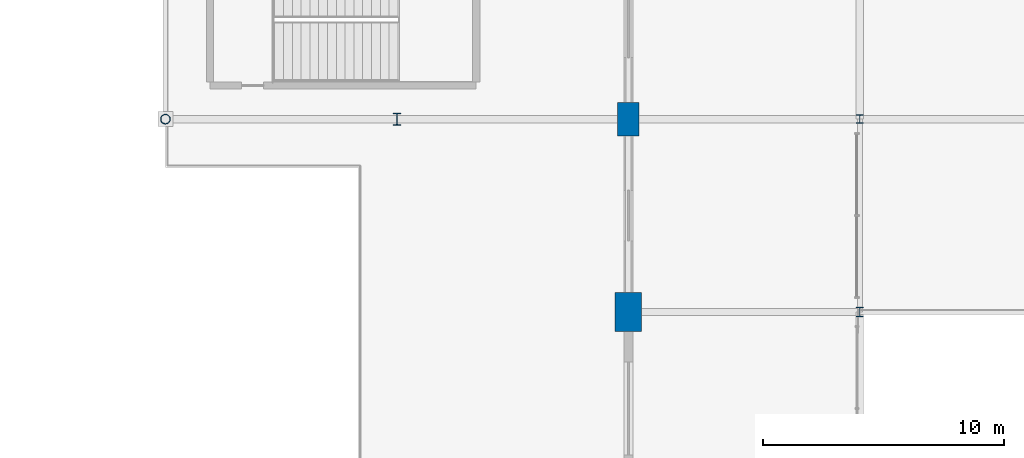
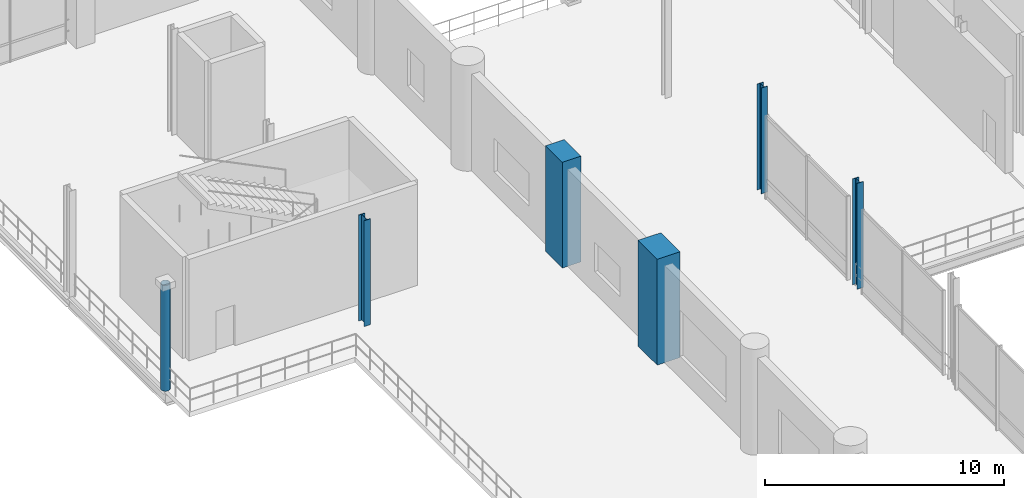
# One storey, part 11 of 129: 6 columns.
"""IFC4 building model written with IfcOpenShell, lengths in metres."""

from ifc_helpers import new_model, si_unit, direction, frame, origin, origin_2d, place, context, subcontext, project, spatial, rectangle, hollow_circle, i_section, extrude, material, material_profile, profile_set, type_object, element, save


model = new_model("IFC4")

# Units and contexts
model_context = context("Model", 3, precision=1e-05, world=origin(), true_north=direction((0.0, 1.0)))
body_context = subcontext(model_context, "Body", "Model", "MODEL_VIEW")
ifc_project = project(units=[si_unit("LENGTHUNIT", "METRE"), si_unit("AREAUNIT", "SQUARE_METRE"), si_unit("VOLUMEUNIT", "CUBIC_METRE"), si_unit("PLANEANGLEUNIT", "RADIAN"), si_unit("MASSUNIT", "GRAM", prefix="KILO")], contexts=[model_context])

# Site, building, storey
site_placement = place(None, origin())
site = spatial("IfcSite", under=ifc_project, at=site_placement, CompositionType="ELEMENT")
building_placement = place(site_placement, origin())
building = spatial("IfcBuilding", under=site, at=building_placement, Name="Danafjord Basin Convention Centre", CompositionType="ELEMENT")
storey_placement = place(building_placement, frame((0.0, 0.0, 6.0)))
storey = spatial("IfcBuildingStorey", under=building, at=storey_placement, Name="L01", CompositionType="ELEMENT", Elevation=6.0)

# Columns
ifc_material_1 = material(Name="Steel S355", Category="steel")
ifc_material_profile_1 = material_profile(ifc_material_1, hollow_circle(Radius=0.203125, WallThickness=0.02001953125, at=origin_2d()), Name="CHS 406.4x20.0")
ifc_profile_set_1 = profile_set([ifc_material_profile_1], Name="Steel S355")
column_type_1 = type_object("IfcColumnType", Name="COL-C-CHS406", PredefinedType="COLUMN", material=ifc_profile_set_1)
column_1_placement = place(storey_placement, frame((96.0, 120.0, 0.0), z_axis=(0.0, 0.0, 1.0), x_axis=(1.0, 0.0, 0.0)))
element("IfcColumn", 1, at=column_1_placement, inside=storey, type_object=column_type_1, Name="L01 column C-CHS406 at (96.0, 120.0)", PredefinedType="COLUMN", context=body_context, shape_type="SweptSolid", body=[
    extrude(hollow_circle(Radius=0.203125, WallThickness=0.02001953125, at=origin_2d()), origin(), (0.0, 0.0, 1.0), 5.39990234375),
])
ifc_material_profile_2 = material_profile(ifc_material_1, i_section(OverallWidth=0.300048828125, OverallDepth=0.360107421875, WebThickness=0.012451171875, FlangeThickness=0.0224609375, FilletRadius=0.027099609375, at=origin_2d()), Name="HEB 360")
ifc_profile_set_2 = profile_set([ifc_material_profile_2], Name="Steel S355")
column_type_2 = type_object("IfcColumnType", Name="COL-C-HEB360", PredefinedType="COLUMN", material=ifc_profile_set_2)
column_2_placement = place(storey_placement, frame((124.800048828125, 120.0, 0.0), z_axis=(0.0, 0.0, 1.0), x_axis=(1.0, 0.0, 0.0)))
element("IfcColumn", 2, at=column_2_placement, inside=storey, type_object=column_type_2, Name="L01 column C-HEB360 at (124.8, 120.0)", PredefinedType="COLUMN", context=body_context, shape_type="SweptSolid", body=[
    extrude(i_section(OverallWidth=0.300048828125, OverallDepth=0.360107421875, WebThickness=0.012451171875, FlangeThickness=0.0224609375, FilletRadius=0.027099609375, at=origin_2d()), origin(), (0.0, 0.0, 1.0), 5.39990234375),
])
ifc_material_profile_3 = material_profile(ifc_material_1, i_section(OverallWidth=0.300048828125, OverallDepth=0.39990234375, WebThickness=0.013427734375, FlangeThickness=0.02392578125, FilletRadius=0.027099609375, at=origin_2d()), Name="HEB 400")
ifc_profile_set_3 = profile_set([ifc_material_profile_3], Name="Steel S355")
column_type_3 = type_object("IfcColumnType", Name="COL-C-HEB400", PredefinedType="COLUMN", material=ifc_profile_set_3)
column_3_placement = place(storey_placement, frame((124.800048828125, 112.0, 0.0), z_axis=(0.0, 0.0, 1.0), x_axis=(1.0, 0.0, 0.0)))
element("IfcColumn", 3, at=column_3_placement, inside=storey, type_object=column_type_3, Name="L01 column C-HEB400 at (124.8, 112.0)", PredefinedType="COLUMN", context=body_context, shape_type="SweptSolid", body=[
    extrude(i_section(OverallWidth=0.300048828125, OverallDepth=0.39990234375, WebThickness=0.013427734375, FlangeThickness=0.02392578125, FilletRadius=0.027099609375, at=origin_2d()), origin(), (0.0, 0.0, 1.0), 5.39990234375),
])
ifc_material_profile_4 = material_profile(ifc_material_1, i_section(OverallWidth=0.300048828125, OverallDepth=0.5, WebThickness=0.014404296875, FlangeThickness=0.028076171875, FilletRadius=0.027099609375, at=origin_2d()), Name="HEB 500")
ifc_profile_set_4 = profile_set([ifc_material_profile_4], Name="Steel S355")
column_type_4 = type_object("IfcColumnType", Name="COL-C-HEB500", PredefinedType="COLUMN", material=ifc_profile_set_4)
column_4_placement = place(storey_placement, frame((105.60009765625, 120.0, 0.0), z_axis=(0.0, 0.0, 1.0), x_axis=(1.0, 0.0, 0.0)))
element("IfcColumn", 4, at=column_4_placement, inside=storey, type_object=column_type_4, Name="L01 column C-HEB500 at (105.6, 120.0)", PredefinedType="COLUMN", context=body_context, shape_type="SweptSolid", body=[
    extrude(i_section(OverallWidth=0.300048828125, OverallDepth=0.5, WebThickness=0.014404296875, FlangeThickness=0.028076171875, FilletRadius=0.027099609375, at=origin_2d()), origin(), (0.0, 0.0, 1.0), 5.39990234375),
])
ifc_material_2 = material(Name="Concrete C50/60", Category="concrete")
ifc_material_profile_5 = material_profile(ifc_material_2, rectangle(XDim=0.89990234375, YDim=1.39990234375, at=origin_2d()), Name="RC 1400x900")
ifc_profile_set_5 = profile_set([ifc_material_profile_5], Name="Concrete C50/60")
column_type_5 = type_object("IfcColumnType", Name="COL-C-RC1400", PredefinedType="COLUMN", material=ifc_profile_set_5)
column_5_placement = place(storey_placement, frame((115.199951171875, 120.0, 0.0), z_axis=(0.0, 0.0, 1.0), x_axis=(1.0, 0.0, 0.0)))
element("IfcColumn", 5, at=column_5_placement, inside=storey, type_object=column_type_5, Name="L01 column C-RC1400 at (115.2, 120.0)", PredefinedType="COLUMN", context=body_context, shape_type="SweptSolid", body=[
    extrude(rectangle(XDim=0.89990234375, YDim=1.39990234375, at=origin_2d()), origin(), (0.0, 0.0, 1.0), 5.39990234375),
])
ifc_material_profile_6 = material_profile(ifc_material_2, rectangle(XDim=1.10009765625, YDim=1.60009765625, at=origin_2d()), Name="RC 1600x1100")
ifc_profile_set_6 = profile_set([ifc_material_profile_6], Name="Concrete C50/60")
column_type_6 = type_object("IfcColumnType", Name="COL-C-RC1600", PredefinedType="COLUMN", material=ifc_profile_set_6)
column_6_placement = place(storey_placement, frame((115.199951171875, 112.0, 0.0), z_axis=(0.0, 0.0, 1.0), x_axis=(1.0, 0.0, 0.0)))
element("IfcColumn", 6, at=column_6_placement, inside=storey, type_object=column_type_6, Name="L01 column C-RC1600 at (115.2, 112.0)", PredefinedType="COLUMN", context=body_context, shape_type="SweptSolid", body=[
    extrude(rectangle(XDim=1.10009765625, YDim=1.60009765625, at=origin_2d()), origin(), (0.0, 0.0, 1.0), 5.39990234375),
])

save(model, "model.ifc")
